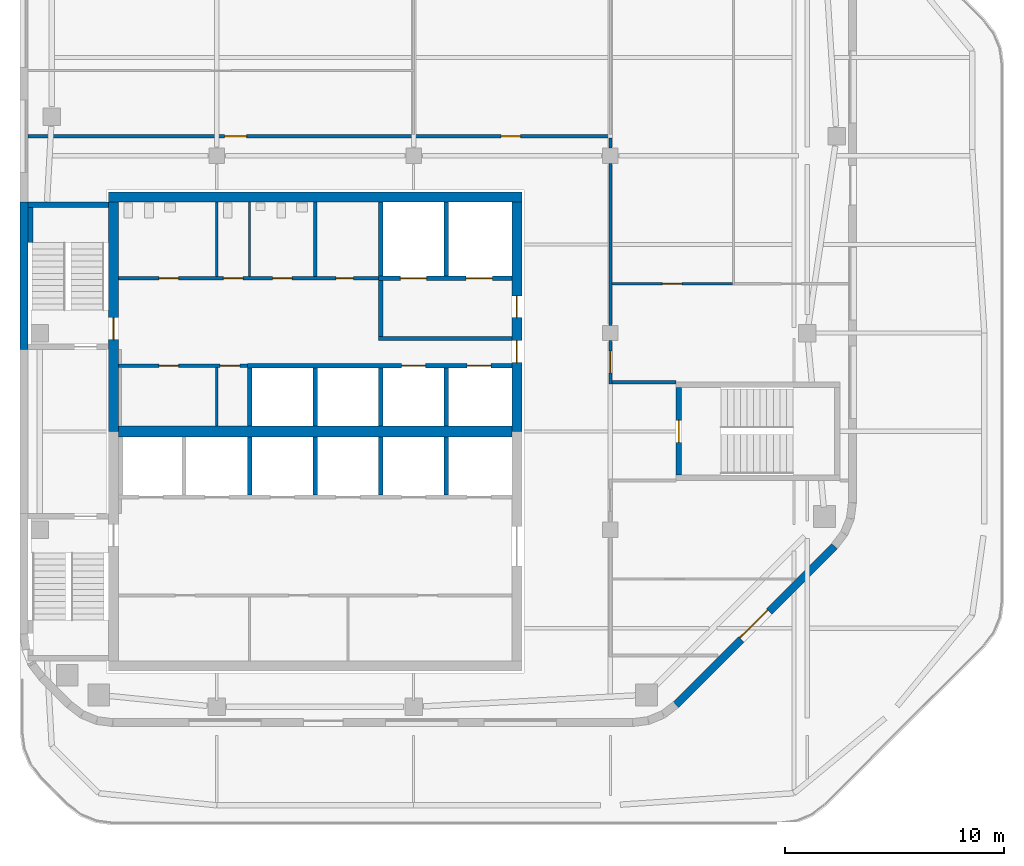
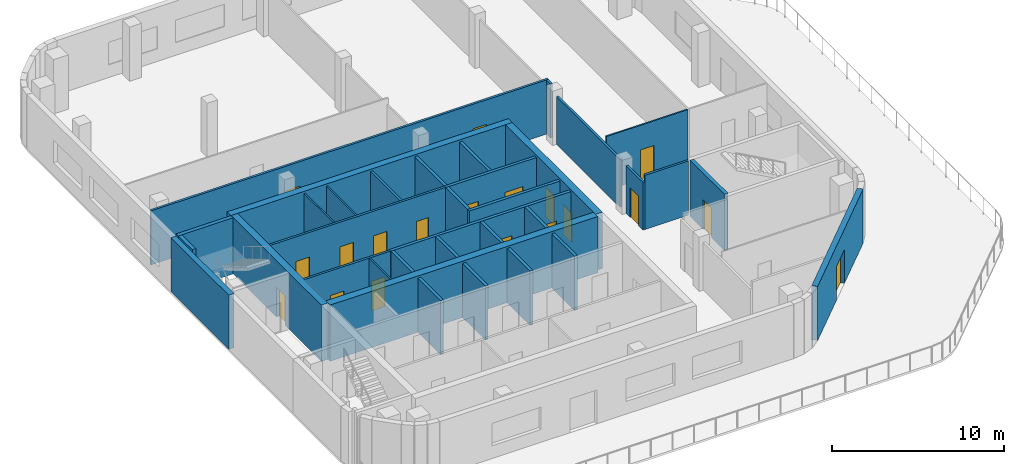
# One storey, part 4 of 7: 35 walls, 19 doors, 19 openings.
"""IFC4 building model written with IfcOpenShell, lengths in metres."""

from ifc_helpers import new_model, si_unit, direction, frame, frame_2d, origin, place, context, subcontext, project, spatial, rectangle, extrude, material, layer, layer_set, type_object, element, fill, save


model = new_model("IFC4")

# Units and contexts
model_context = context("Model", 3, precision=1e-05, world=origin(), true_north=direction((0.0, 1.0)))
body_context = subcontext(model_context, "Body", "Model", "MODEL_VIEW")
ifc_project = project(units=[si_unit("LENGTHUNIT", "METRE"), si_unit("AREAUNIT", "SQUARE_METRE"), si_unit("VOLUMEUNIT", "CUBIC_METRE"), si_unit("PLANEANGLEUNIT", "RADIAN"), si_unit("MASSUNIT", "GRAM", prefix="KILO")], contexts=[model_context])

# Site, building, storey
site_placement = place(None, origin())
site = spatial("IfcSite", under=ifc_project, at=site_placement, CompositionType="ELEMENT")
building_placement = place(site_placement, origin())
building = spatial("IfcBuilding", under=site, at=building_placement, Name="Cinnabar Reach Civic Tower", CompositionType="ELEMENT")
storey_placement = place(building_placement, frame((0.0, 0.0, 247.0)))
storey = spatial("IfcBuildingStorey", under=building, at=storey_placement, Name="L59", CompositionType="ELEMENT", Elevation=247.0)

# Wall, opening, door
ifc_material_1 = material(Name="Facing brick with insulated backing", Category="masonry")
ifc_layer_1 = layer(ifc_material_1, 0.36)
ifc_layer_set_1 = layer_set([ifc_layer_1], Name="Brick pier and spandrel wall")
wall_type_1 = type_object("IfcWallType", Name="Brick pier and spandrel wall", PredefinedType="STANDARD", material=ifc_layer_set_1)
wall_1_placement = place(storey_placement, frame((30.0014, 19.006, 0.0), z_axis=(0.0, 0.0, 1.0), x_axis=(0.707106781187, 0.707106781187, 0.0)))
wall_1 = element("IfcWall", 1, at=wall_1_placement, inside=storey, type_object=wall_type_1, Name="Brick facade wall", PredefinedType="STANDARD", context=body_context, shape_type="SweptSolid", body=[
    extrude(rectangle(XDim=10.2426, YDim=0.36, at=frame_2d((5.1213, 0.0))), origin(), (0.0, 0.0, 1.0), 3.85),
])
opening_1_placement = place(wall_1_placement, frame((4.2213, 0.0, 0.0)))
opening_1 = element("IfcOpeningElement", 2, at=opening_1_placement, cuts=wall_1, Name="Opening D7512", PredefinedType="OPENING", context=body_context, shape_type="SweptSolid", body=[
    extrude(rectangle(XDim=1.8, YDim=2.4, at=frame_2d((0.9, 1.2))), frame((0.0, 0.19, 0.0), z_axis=(0.0, -1.0, 0.0), x_axis=(1.0, 0.0, 0.0)), (0.0, 0.0, 1.0), 0.38),
])
ifc_material_2 = material(Name="Clear glazing in aluminium frame", Category="aluminium")
door_type_1 = type_object("IfcDoorType", Name="Facade terrace double door", OperationType="SINGLE_SWING_LEFT", PredefinedType="DOOR", material=ifc_material_2)
door_1_placement = place(opening_1_placement, frame((1.8, 0.0, 0.0), z_axis=(0.0, 0.0, 1.0), x_axis=(-1.0, 0.0, 0.0)))
door_1 = element("IfcDoor", 3, at=door_1_placement, inside=storey, type_object=door_type_1, Name="Terrace door", OperationType="DOUBLE_DOOR_SINGLE_SWING", OverallHeight=2.4, OverallWidth=1.8, PredefinedType="DOOR", context=body_context, shape_type="SweptSolid", body=[
    extrude(rectangle(XDim=1.8, YDim=2.4, at=frame_2d((0.9, 1.2))), frame((0.0, -0.07, 0.0), z_axis=(0.0, -1.0, 0.0), x_axis=(1.0, 0.0, 0.0)), (0.0, 0.0, 1.0), 0.05),
])
fill(opening_1, door_1)

# Walls
wall_2_placement = place(storey_placement, frame((0.18, 42.0, 0.0), z_axis=(0.0, 0.0, 1.0), x_axis=(0.0, -1.0, 0.0)))
element("IfcWall", 4, at=wall_2_placement, inside=storey, type_object=wall_type_1, Name="Brick facade wall", PredefinedType="STANDARD", context=body_context, shape_type="SweptSolid", body=[
    extrude(rectangle(XDim=6.75, YDim=0.36, at=frame_2d((3.375, 0.0))), origin(), (0.0, 0.0, 1.0), 3.85),
])
ifc_material_3 = material(Name="Concrete C60", Category="concrete")
ifc_layer_2 = layer(ifc_material_3, 0.45)
ifc_layer_set_2 = layer_set([ifc_layer_2], Name="Core wall 450 EI 180")
wall_type_2 = type_object("IfcWallType", Name="Core wall 450 EI 180", PredefinedType="SOLIDWALL", material=ifc_layer_set_2)
wall_3_placement = place(storey_placement, frame((22.95, 42.225, 0.0), z_axis=(0.0, 0.0, 1.0), x_axis=(-1.0, 0.0, 0.0)))
element("IfcWall", 5, at=wall_3_placement, inside=storey, type_object=wall_type_2, Name="Core wall T1 L59 N", PredefinedType="SOLIDWALL", context=body_context, shape_type="SweptSolid", body=[
    extrude(rectangle(XDim=18.9, YDim=0.45, at=frame_2d((9.45, 0.0))), origin(), (0.0, 0.0, 1.0), 4.0),
])

# Wall, openings, doors
wall_4_placement = place(storey_placement, frame((22.725, 31.5, 0.0), z_axis=(0.0, 0.0, 1.0), x_axis=(0.0, 1.0, 0.0)))
wall_4 = element("IfcWall", 6, at=wall_4_placement, inside=storey, type_object=wall_type_2, Name="Core wall T1 L59 E2", PredefinedType="SOLIDWALL", context=body_context, shape_type="SweptSolid", body=[
    extrude(rectangle(XDim=10.5, YDim=0.45, at=frame_2d((5.25, 0.0))), origin(), (0.0, 0.0, 1.0), 4.0),
])
opening_2_placement = place(wall_4_placement, frame((3.15, 0.0, 0.0)))
opening_2 = element("IfcOpeningElement", 7, at=opening_2_placement, cuts=wall_4, Name="Opening D5387", PredefinedType="OPENING", context=body_context, shape_type="SweptSolid", body=[
    extrude(rectangle(XDim=1.0, YDim=2.1, at=frame_2d((0.5, 1.05))), frame((0.0, 0.235, 0.0), z_axis=(0.0, -1.0, 0.0), x_axis=(1.0, 0.0, 0.0)), (0.0, 0.0, 1.0), 0.47),
])
opening_3_placement = place(wall_4_placement, frame((5.2, 0.0, 0.0)))
opening_3 = element("IfcOpeningElement", 8, at=opening_3_placement, cuts=wall_4, Name="Opening D5388", PredefinedType="OPENING", context=body_context, shape_type="SweptSolid", body=[
    extrude(rectangle(XDim=1.0, YDim=2.1, at=frame_2d((0.5, 1.05))), frame((0.0, 0.235, 0.0), z_axis=(0.0, -1.0, 0.0), x_axis=(1.0, 0.0, 0.0)), (0.0, 0.0, 1.0), 0.47),
])
ifc_material_4 = material(Name="Timber door leaf in steel frame", Category="steel")
door_type_2 = type_object("IfcDoorType", Name="Firefighting lobby door 1000 x 2100 T1", OperationType="SINGLE_SWING_LEFT", PredefinedType="DOOR", material=ifc_material_4)
door_2_placement = place(opening_3_placement, origin())
door_2 = element("IfcDoor", 9, at=door_2_placement, inside=storey, type_object=door_type_2, Name="Door D5388", OperationType="SINGLE_SWING_RIGHT", OverallHeight=2.1, OverallWidth=1.0, PredefinedType="DOOR", context=body_context, shape_type="SweptSolid", body=[
    extrude(rectangle(XDim=1.0, YDim=2.1, at=frame_2d((0.5, 1.05))), frame((0.0, 0.025, 0.0), z_axis=(0.0, -1.0, 0.0), x_axis=(1.0, 0.0, 0.0)), (0.0, 0.0, 1.0), 0.05),
])
fill(opening_3, door_2)
door_type_3 = type_object("IfcDoorType", Name="Single swing door 1000 x 2100 T1", OperationType="SINGLE_SWING_LEFT", PredefinedType="DOOR", material=ifc_material_4)
door_3_placement = place(opening_2_placement, origin())
door_3 = element("IfcDoor", 10, at=door_3_placement, inside=storey, type_object=door_type_3, Name="Door D5387", OperationType="SINGLE_SWING_RIGHT", OverallHeight=2.1, OverallWidth=1.0, PredefinedType="DOOR", context=body_context, shape_type="SweptSolid", body=[
    extrude(rectangle(XDim=1.0, YDim=2.1, at=frame_2d((0.5, 1.05))), frame((0.0, 0.025, 0.0), z_axis=(0.0, -1.0, 0.0), x_axis=(1.0, 0.0, 0.0)), (0.0, 0.0, 1.0), 0.05),
])
fill(opening_2, door_3)

# Wall, opening, door
wall_5_placement = place(storey_placement, frame((4.275, 42.0, 0.0), z_axis=(0.0, 0.0, 1.0), x_axis=(0.0, -1.0, 0.0)))
wall_5 = element("IfcWall", 11, at=wall_5_placement, inside=storey, type_object=wall_type_2, Name="Core wall T1 L59 W", PredefinedType="SOLIDWALL", context=body_context, shape_type="SweptSolid", body=[
    extrude(rectangle(XDim=10.5, YDim=0.45, at=frame_2d((5.25, 0.0))), origin(), (0.0, 0.0, 1.0), 4.0),
])
opening_4_placement = place(wall_5_placement, frame((5.3, 0.0, 0.0)))
opening_4 = element("IfcOpeningElement", 12, at=opening_4_placement, cuts=wall_5, Name="Opening D5374", PredefinedType="OPENING", context=body_context, shape_type="SweptSolid", body=[
    extrude(rectangle(XDim=1.0, YDim=2.1, at=frame_2d((0.5, 1.05))), frame((0.0, 0.235, 0.0), z_axis=(0.0, -1.0, 0.0), x_axis=(1.0, 0.0, 0.0)), (0.0, 0.0, 1.0), 0.47),
])
door_type_4 = type_object("IfcDoorType", Name="Stair door 1000 x 2100 T1", OperationType="SINGLE_SWING_LEFT", PredefinedType="DOOR", material=ifc_material_4)
door_4_placement = place(opening_4_placement, frame((1.0, 0.0, 0.0), z_axis=(0.0, 0.0, 1.0), x_axis=(-1.0, 0.0, 0.0)))
door_4 = element("IfcDoor", 13, at=door_4_placement, inside=storey, type_object=door_type_4, Name="Door D5374", OperationType="SINGLE_SWING_LEFT", OverallHeight=2.1, OverallWidth=1.0, PredefinedType="DOOR", context=body_context, shape_type="SweptSolid", body=[
    extrude(rectangle(XDim=1.0, YDim=2.1, at=frame_2d((0.5, 1.05))), frame((0.0, 0.025, 0.0), z_axis=(0.0, -1.0, 0.0), x_axis=(1.0, 0.0, 0.0)), (0.0, 0.0, 1.0), 0.05),
])
fill(opening_4, door_4)

# Wall
ifc_layer_3 = layer(ifc_material_3, 0.5)
ifc_layer_set_3 = layer_set([ifc_layer_3], Name="Core wall 500 EI 180")
wall_type_3 = type_object("IfcWallType", Name="Core wall 500 EI 180", PredefinedType="SOLIDWALL", material=ifc_layer_set_3)
wall_6_placement = place(storey_placement, frame((4.5, 31.5, 0.0), z_axis=(0.0, 0.0, 1.0), x_axis=(1.0, 0.0, 0.0)))
element("IfcWall", 14, at=wall_6_placement, inside=storey, type_object=wall_type_3, Name="Core spine wall T1 L59", PredefinedType="SOLIDWALL", context=body_context, shape_type="SweptSolid", body=[
    extrude(rectangle(XDim=18.0, YDim=0.5, at=frame_2d((9.0, 0.0))), origin(), (0.0, 0.0, 1.0), 4.0),
])

# Wall, openings, doors
ifc_material_5 = material(Name="Gypsum board on steel studs, double layer", Category="steel")
ifc_layer_4 = layer(ifc_material_5, 0.15)
ifc_layer_set_4 = layer_set([ifc_layer_4], Name="Corridor wall 150 T1")
wall_type_4 = type_object("IfcWallType", Name="Corridor wall 150 T1", PredefinedType="PARTITIONING", material=ifc_layer_set_4)
wall_7_placement = place(storey_placement, frame((0.36, 45.0, 0.0), z_axis=(0.0, 0.0, 1.0), x_axis=(1.0, 0.0, 0.0)))
wall_7 = element("IfcWall", 15, at=wall_7_placement, inside=storey, type_object=wall_type_4, Name="Corridor wall 18", PredefinedType="PARTITIONING", context=body_context, shape_type="SweptSolid", body=[
    extrude(rectangle(XDim=26.715, YDim=0.15, at=frame_2d((13.3575, 0.0))), origin(), (0.0, 0.0, 1.0), 3.85),
])
opening_5_placement = place(wall_7_placement, frame((9.0, 0.0, 0.0)))
opening_5 = element("IfcOpeningElement", 16, at=opening_5_placement, cuts=wall_7, Name="Opening D5404", PredefinedType="OPENING", context=body_context, shape_type="SweptSolid", body=[
    extrude(rectangle(XDim=1.0, YDim=2.1, at=frame_2d((0.5, 1.05))), frame((0.0, 0.085, 0.0), z_axis=(0.0, -1.0, 0.0), x_axis=(1.0, 0.0, 0.0)), (0.0, 0.0, 1.0), 0.17),
])
opening_6_placement = place(wall_7_placement, frame((21.64, 0.0, 0.0)))
opening_6 = element("IfcOpeningElement", 17, at=opening_6_placement, cuts=wall_7, Name="Opening D5406", PredefinedType="OPENING", context=body_context, shape_type="SweptSolid", body=[
    extrude(rectangle(XDim=0.9, YDim=2.1, at=frame_2d((0.45, 1.05))), frame((0.0, 0.085, 0.0), z_axis=(0.0, -1.0, 0.0), x_axis=(1.0, 0.0, 0.0)), (0.0, 0.0, 1.0), 0.17),
])
door_type_5 = type_object("IfcDoorType", Name="Single swing door 900 x 2100 corridor T1", OperationType="SINGLE_SWING_LEFT", PredefinedType="DOOR", material=ifc_material_4)
door_5_placement = place(opening_6_placement, origin())
door_5 = element("IfcDoor", 18, at=door_5_placement, inside=storey, type_object=door_type_5, Name="Door D5406", OperationType="SINGLE_SWING_LEFT", OverallHeight=2.1, OverallWidth=0.9, PredefinedType="DOOR", context=body_context, shape_type="SweptSolid", body=[
    extrude(rectangle(XDim=0.9, YDim=2.1, at=frame_2d((0.45, 1.05))), frame((0.0, 0.025, 0.0), z_axis=(0.0, -1.0, 0.0), x_axis=(1.0, 0.0, 0.0)), (0.0, 0.0, 1.0), 0.05),
])
fill(opening_6, door_5)
door_type_6 = type_object("IfcDoorType", Name="Tenancy entrance door 1000 x 2100 T1", OperationType="SINGLE_SWING_LEFT", PredefinedType="DOOR", material=ifc_material_4)
door_6_placement = place(opening_5_placement, origin())
door_6 = element("IfcDoor", 19, at=door_6_placement, inside=storey, type_object=door_type_6, Name="Door D5404", OperationType="SINGLE_SWING_RIGHT", OverallHeight=2.1, OverallWidth=1.0, PredefinedType="DOOR", context=body_context, shape_type="SweptSolid", body=[
    extrude(rectangle(XDim=1.0, YDim=2.1, at=frame_2d((0.5, 1.05))), frame((0.0, 0.025, 0.0), z_axis=(0.0, -1.0, 0.0), x_axis=(1.0, 0.0, 0.0)), (0.0, 0.0, 1.0), 0.05),
])
fill(opening_5, door_6)

wall_8_placement = place(storey_placement, frame((4.5, 38.5, 0.0), z_axis=(0.0, 0.0, 1.0), x_axis=(1.0, 0.0, 0.0)))
wall_8 = element("IfcWall", 20, at=wall_8_placement, inside=storey, type_object=wall_type_4, Name="Corridor wall 20", PredefinedType="PARTITIONING", context=body_context, shape_type="SweptSolid", body=[
    extrude(rectangle(XDim=11.9, YDim=0.15, at=frame_2d((5.95, 0.0))), origin(), (0.0, 0.0, 1.0), 3.85),
])
opening_7_placement = place(wall_8_placement, frame((1.85, 0.0, 0.0)))
opening_7 = element("IfcOpeningElement", 21, at=opening_7_placement, cuts=wall_8, Name="Opening D5395", PredefinedType="OPENING", context=body_context, shape_type="SweptSolid", body=[
    extrude(rectangle(XDim=0.9, YDim=2.1, at=frame_2d((0.45, 1.05))), frame((0.0, 0.085, 0.0), z_axis=(0.0, -1.0, 0.0), x_axis=(1.0, 0.0, 0.0)), (0.0, 0.0, 1.0), 0.17),
])
opening_8_placement = place(wall_8_placement, frame((4.8, 0.0, 0.0)))
opening_8 = element("IfcOpeningElement", 22, at=opening_8_placement, cuts=wall_8, Name="Opening D5396", PredefinedType="OPENING", context=body_context, shape_type="SweptSolid", body=[
    extrude(rectangle(XDim=0.9, YDim=2.1, at=frame_2d((0.45, 1.05))), frame((0.0, 0.085, 0.0), z_axis=(0.0, -1.0, 0.0), x_axis=(1.0, 0.0, 0.0)), (0.0, 0.0, 1.0), 0.17),
])
opening_9_placement = place(wall_8_placement, frame((7.05, 0.0, 0.0)))
opening_9 = element("IfcOpeningElement", 23, at=opening_9_placement, cuts=wall_8, Name="Opening D5397", PredefinedType="OPENING", context=body_context, shape_type="SweptSolid", body=[
    extrude(rectangle(XDim=0.9, YDim=2.1, at=frame_2d((0.45, 1.05))), frame((0.0, 0.085, 0.0), z_axis=(0.0, -1.0, 0.0), x_axis=(1.0, 0.0, 0.0)), (0.0, 0.0, 1.0), 0.17),
])
opening_10_placement = place(wall_8_placement, frame((9.95, 0.0, 0.0)))
opening_10 = element("IfcOpeningElement", 24, at=opening_10_placement, cuts=wall_8, Name="Opening D5398", PredefinedType="OPENING", context=body_context, shape_type="SweptSolid", body=[
    extrude(rectangle(XDim=0.8, YDim=2.1, at=frame_2d((0.4, 1.05))), frame((0.0, 0.085, 0.0), z_axis=(0.0, -1.0, 0.0), x_axis=(1.0, 0.0, 0.0)), (0.0, 0.0, 1.0), 0.17),
])
door_type_7 = type_object("IfcDoorType", Name="Riser access door 800 x 2100 T1", OperationType="SINGLE_SWING_LEFT", PredefinedType="DOOR", material=ifc_material_4)
door_7_placement = place(opening_10_placement, origin())
door_7 = element("IfcDoor", 25, at=door_7_placement, inside=storey, type_object=door_type_7, Name="Door D5398", OperationType="SINGLE_SWING_LEFT", OverallHeight=2.1, OverallWidth=0.8, PredefinedType="DOOR", context=body_context, shape_type="SweptSolid", body=[
    extrude(rectangle(XDim=0.8, YDim=2.1, at=frame_2d((0.4, 1.05))), frame((0.0, 0.025, 0.0), z_axis=(0.0, -1.0, 0.0), x_axis=(1.0, 0.0, 0.0)), (0.0, 0.0, 1.0), 0.05),
])
fill(opening_10, door_7)
door_8_placement = place(opening_7_placement, origin())
door_8 = element("IfcDoor", 26, at=door_8_placement, inside=storey, type_object=door_type_5, Name="Door D5395", OperationType="SINGLE_SWING_LEFT", OverallHeight=2.1, OverallWidth=0.9, PredefinedType="DOOR", context=body_context, shape_type="SweptSolid", body=[
    extrude(rectangle(XDim=0.9, YDim=2.1, at=frame_2d((0.45, 1.05))), frame((0.0, 0.025, 0.0), z_axis=(0.0, -1.0, 0.0), x_axis=(1.0, 0.0, 0.0)), (0.0, 0.0, 1.0), 0.05),
])
fill(opening_7, door_8)
door_9_placement = place(opening_8_placement, origin())
door_9 = element("IfcDoor", 27, at=door_9_placement, inside=storey, type_object=door_type_5, Name="Door D5396", OperationType="SINGLE_SWING_RIGHT", OverallHeight=2.1, OverallWidth=0.9, PredefinedType="DOOR", context=body_context, shape_type="SweptSolid", body=[
    extrude(rectangle(XDim=0.9, YDim=2.1, at=frame_2d((0.45, 1.05))), frame((0.0, 0.025, 0.0), z_axis=(0.0, -1.0, 0.0), x_axis=(1.0, 0.0, 0.0)), (0.0, 0.0, 1.0), 0.05),
])
fill(opening_8, door_9)
door_10_placement = place(opening_9_placement, origin())
door_10 = element("IfcDoor", 28, at=door_10_placement, inside=storey, type_object=door_type_5, Name="Door D5397", OperationType="SINGLE_SWING_RIGHT", OverallHeight=2.1, OverallWidth=0.9, PredefinedType="DOOR", context=body_context, shape_type="SweptSolid", body=[
    extrude(rectangle(XDim=0.9, YDim=2.1, at=frame_2d((0.45, 1.05))), frame((0.0, 0.025, 0.0), z_axis=(0.0, -1.0, 0.0), x_axis=(1.0, 0.0, 0.0)), (0.0, 0.0, 1.0), 0.05),
])
fill(opening_9, door_10)

# Wall, opening, door
wall_9_placement = place(storey_placement, frame((27.0, 33.675, 0.0), z_axis=(0.0, 0.0, 1.0), x_axis=(0.0, 1.0, 0.0)))
wall_9 = element("IfcWall", 29, at=wall_9_placement, inside=storey, type_object=wall_type_4, Name="Corridor wall 21", PredefinedType="PARTITIONING", context=body_context, shape_type="SweptSolid", body=[
    extrude(rectangle(XDim=1.975, YDim=0.15, at=frame_2d((0.9875, 0.0))), origin(), (0.0, 0.0, 1.0), 3.4),
])
opening_11_placement = place(wall_9_placement, frame((0.5, 0.0, 0.0)))
opening_11 = element("IfcOpeningElement", 30, at=opening_11_placement, cuts=wall_9, Name="Opening D5399", PredefinedType="OPENING", context=body_context, shape_type="SweptSolid", body=[
    extrude(rectangle(XDim=1.0, YDim=2.1, at=frame_2d((0.5, 1.05))), frame((0.0, 0.085, 0.0), z_axis=(0.0, -1.0, 0.0), x_axis=(1.0, 0.0, 0.0)), (0.0, 0.0, 1.0), 0.17),
])
door_11_placement = place(opening_11_placement, frame((1.0, 0.0, 0.0), z_axis=(0.0, 0.0, 1.0), x_axis=(-1.0, 0.0, 0.0)))
door_11 = element("IfcDoor", 31, at=door_11_placement, inside=storey, type_object=door_type_6, Name="Door D5399", OperationType="SINGLE_SWING_RIGHT", OverallHeight=2.1, OverallWidth=1.0, PredefinedType="DOOR", context=body_context, shape_type="SweptSolid", body=[
    extrude(rectangle(XDim=1.0, YDim=2.1, at=frame_2d((0.5, 1.05))), frame((0.0, 0.025, 0.0), z_axis=(0.0, -1.0, 0.0), x_axis=(1.0, 0.0, 0.0)), (0.0, 0.0, 1.0), 0.05),
])
fill(opening_11, door_11)

# Walls
wall_10_placement = place(storey_placement, frame((27.0, 36.35, 0.0), z_axis=(0.0, 0.0, 1.0), x_axis=(0.0, 1.0, 0.0)))
element("IfcWall", 32, at=wall_10_placement, inside=storey, type_object=wall_type_4, Name="Corridor wall 22", PredefinedType="PARTITIONING", context=body_context, shape_type="SweptSolid", body=[
    extrude(rectangle(XDim=7.4, YDim=0.15, at=frame_2d((3.7, 0.0))), origin(), (0.0, 0.0, 1.0), 3.4),
])
wall_11_placement = place(storey_placement, frame((27.0, 44.45, 0.0), z_axis=(0.0, 0.0, 1.0), x_axis=(0.0, 1.0, 0.0)))
element("IfcWall", 33, at=wall_11_placement, inside=storey, type_object=wall_type_4, Name="Corridor wall 23", PredefinedType="PARTITIONING", context=body_context, shape_type="SweptSolid", body=[
    extrude(rectangle(XDim=0.475, YDim=0.15, at=frame_2d((0.2375, 0.0))), origin(), (0.0, 0.0, 1.0), 3.85),
])

# Wall, openings, doors
wall_12_placement = place(storey_placement, frame((4.5, 34.5, 0.0), z_axis=(0.0, 0.0, 1.0), x_axis=(1.0, 0.0, 0.0)))
wall_12 = element("IfcWall", 34, at=wall_12_placement, inside=storey, type_object=wall_type_4, Name="Corridor wall 26", PredefinedType="PARTITIONING", context=body_context, shape_type="SweptSolid", body=[
    extrude(rectangle(XDim=5.9, YDim=0.15, at=frame_2d((2.95, 0.0))), origin(), (0.0, 0.0, 1.0), 3.85),
])
opening_12_placement = place(wall_12_placement, frame((1.85, 0.0, 0.0)))
opening_12 = element("IfcOpeningElement", 35, at=opening_12_placement, cuts=wall_12, Name="Opening D5393", PredefinedType="OPENING", context=body_context, shape_type="SweptSolid", body=[
    extrude(rectangle(XDim=0.9, YDim=2.1, at=frame_2d((0.45, 1.05))), frame((0.0, 0.085, 0.0), z_axis=(0.0, -1.0, 0.0), x_axis=(1.0, 0.0, 0.0)), (0.0, 0.0, 1.0), 0.17),
])
opening_13_placement = place(wall_12_placement, frame((4.65, 0.0, 0.0)))
opening_13 = element("IfcOpeningElement", 36, at=opening_13_placement, cuts=wall_12, Name="Opening D5394", PredefinedType="OPENING", context=body_context, shape_type="SweptSolid", body=[
    extrude(rectangle(XDim=0.9, YDim=2.1, at=frame_2d((0.45, 1.05))), frame((0.0, 0.085, 0.0), z_axis=(0.0, -1.0, 0.0), x_axis=(1.0, 0.0, 0.0)), (0.0, 0.0, 1.0), 0.17),
])
door_12_placement = place(opening_12_placement, frame((0.9, 0.0, 0.0), z_axis=(0.0, 0.0, 1.0), x_axis=(-1.0, 0.0, 0.0)))
door_12 = element("IfcDoor", 37, at=door_12_placement, inside=storey, type_object=door_type_5, Name="Door D5393", OperationType="SINGLE_SWING_RIGHT", OverallHeight=2.1, OverallWidth=0.9, PredefinedType="DOOR", context=body_context, shape_type="SweptSolid", body=[
    extrude(rectangle(XDim=0.9, YDim=2.1, at=frame_2d((0.45, 1.05))), frame((0.0, 0.025, 0.0), z_axis=(0.0, -1.0, 0.0), x_axis=(1.0, 0.0, 0.0)), (0.0, 0.0, 1.0), 0.05),
])
fill(opening_12, door_12)
door_13_placement = place(opening_13_placement, frame((0.9, 0.0, 0.0), z_axis=(0.0, 0.0, 1.0), x_axis=(-1.0, 0.0, 0.0)))
door_13 = element("IfcDoor", 38, at=door_13_placement, inside=storey, type_object=door_type_5, Name="Door D5394", OperationType="SINGLE_SWING_RIGHT", OverallHeight=2.1, OverallWidth=0.9, PredefinedType="DOOR", context=body_context, shape_type="SweptSolid", body=[
    extrude(rectangle(XDim=0.9, YDim=2.1, at=frame_2d((0.45, 1.05))), frame((0.0, 0.025, 0.0), z_axis=(0.0, -1.0, 0.0), x_axis=(1.0, 0.0, 0.0)), (0.0, 0.0, 1.0), 0.05),
])
fill(opening_13, door_13)

# Wall
wall_13_placement = place(storey_placement, frame((27.075, 33.75, 0.0), z_axis=(0.0, 0.0, 1.0), x_axis=(1.0, 0.0, 0.0)))
element("IfcWall", 39, at=wall_13_placement, inside=storey, type_object=wall_type_4, Name="Corridor wall 31", PredefinedType="PARTITIONING", context=body_context, shape_type="SweptSolid", body=[
    extrude(rectangle(XDim=2.925, YDim=0.15, at=frame_2d((1.4625, 0.0))), origin(), (0.0, 0.0, 1.0), 3.85),
])

# Wall, openings, doors
ifc_material_6 = material(Name="Blockwork", Category="masonry")
ifc_layer_5 = layer(ifc_material_6, 0.2)
ifc_layer_set_5 = layer_set([ifc_layer_5], Name="Lift shaft wall 200 T1")
wall_type_5 = type_object("IfcWallType", Name="Lift shaft wall 200 T1", PredefinedType="PARTITIONING", material=ifc_layer_set_5)
wall_14_placement = place(storey_placement, frame((10.4, 34.5, 0.0), z_axis=(0.0, 0.0, 1.0), x_axis=(1.0, 0.0, 0.0)))
wall_14 = element("IfcWall", 40, at=wall_14_placement, inside=storey, type_object=wall_type_5, Name="Lift shaft wall 5", PredefinedType="PARTITIONING", context=body_context, shape_type="SweptSolid", body=[
    extrude(rectangle(XDim=12.1, YDim=0.2, at=frame_2d((6.05, 0.0))), origin(), (0.0, 0.0, 1.0), 3.85),
])
opening_14_placement = place(wall_14_placement, frame((7.05, 0.0, 0.0)))
opening_14 = element("IfcOpeningElement", 41, at=opening_14_placement, cuts=wall_14, Name="Opening D5382", PredefinedType="OPENING", context=body_context, shape_type="SweptSolid", body=[
    extrude(rectangle(XDim=1.1, YDim=2.1, at=frame_2d((0.55, 1.05))), frame((0.0, 0.11, 0.0), z_axis=(0.0, -1.0, 0.0), x_axis=(1.0, 0.0, 0.0)), (0.0, 0.0, 1.0), 0.22),
])
opening_15_placement = place(wall_14_placement, frame((10.05, 0.0, 0.0)))
opening_15 = element("IfcOpeningElement", 42, at=opening_15_placement, cuts=wall_14, Name="Opening D5383", PredefinedType="OPENING", context=body_context, shape_type="SweptSolid", body=[
    extrude(rectangle(XDim=1.1, YDim=2.1, at=frame_2d((0.55, 1.05))), frame((0.0, 0.11, 0.0), z_axis=(0.0, -1.0, 0.0), x_axis=(1.0, 0.0, 0.0)), (0.0, 0.0, 1.0), 0.22),
])
ifc_material_7 = material(Name="Stainless steel sliding door", Category="steel")
door_type_8 = type_object("IfcDoorType", Name="Lift landing door 1100 x 2100 T1", OperationType="SLIDING_TO_LEFT", PredefinedType="DOOR", material=ifc_material_7)
door_14_placement = place(opening_14_placement, origin())
door_14 = element("IfcDoor", 43, at=door_14_placement, inside=storey, type_object=door_type_8, Name="Lift landing door SV1 L59", OperationType="SLIDING_TO_LEFT", OverallHeight=2.1, OverallWidth=1.1, PredefinedType="DOOR", context=body_context, shape_type="SweptSolid", body=[
    extrude(rectangle(XDim=1.1, YDim=2.1, at=frame_2d((0.55, 1.05))), frame((0.0, 0.025, 0.0), z_axis=(0.0, -1.0, 0.0), x_axis=(1.0, 0.0, 0.0)), (0.0, 0.0, 1.0), 0.05),
])
fill(opening_14, door_14)
door_15_placement = place(opening_15_placement, origin())
door_15 = element("IfcDoor", 44, at=door_15_placement, inside=storey, type_object=door_type_8, Name="Lift landing door SV2 L59", OperationType="SLIDING_TO_LEFT", OverallHeight=2.1, OverallWidth=1.1, PredefinedType="DOOR", context=body_context, shape_type="SweptSolid", body=[
    extrude(rectangle(XDim=1.1, YDim=2.1, at=frame_2d((0.55, 1.05))), frame((0.0, 0.025, 0.0), z_axis=(0.0, -1.0, 0.0), x_axis=(1.0, 0.0, 0.0)), (0.0, 0.0, 1.0), 0.05),
])
fill(opening_15, door_15)

# Walls
for number, where, z_axis, x_axis, name in (
    (45, (10.5, 28.6, 0.0), (0.0, 0.0, 1.0), (0.0, 1.0, 0.0), "Lift shaft wall 6"),
    (46, (10.5, 31.75, 0.0), (0.0, 0.0, 1.0), (0.0, 1.0, 0.0), "Lift shaft wall 7"),
    (47, (13.5, 28.6, 0.0), (0.0, 0.0, 1.0), (0.0, 1.0, 0.0), "Lift shaft wall 8"),
    (48, (13.5, 31.75, 0.0), (0.0, 0.0, 1.0), (0.0, 1.0, 0.0), "Lift shaft wall 9"),
    (49, (16.5, 28.6, 0.0), (0.0, 0.0, 1.0), (0.0, 1.0, 0.0), "Lift shaft wall 10"),
    (50, (16.5, 31.75, 0.0), (0.0, 0.0, 1.0), (0.0, 1.0, 0.0), "Lift shaft wall 11"),
    (51, (19.5, 28.6, 0.0), (0.0, 0.0, 1.0), (0.0, 1.0, 0.0), "Lift shaft wall 12"),
    (52, (19.5, 31.75, 0.0), (0.0, 0.0, 1.0), (0.0, 1.0, 0.0), "Lift shaft wall 13"),
):
    element("IfcWall", number, at=place(storey_placement, frame(where, z_axis=z_axis, x_axis=x_axis)), inside=storey, type_object=wall_type_5, Name=name, PredefinedType="PARTITIONING", context=body_context, shape_type="SweptSolid", body=[
        extrude(rectangle(XDim=2.65, YDim=0.2, at=frame_2d((1.325, 0.0))), origin(), (0.0, 0.0, 1.0), 3.85),
    ])
for number, where, z_axis, x_axis, name in (
    (53, (16.5, 38.6, 0.0), (0.0, 0.0, 1.0), (0.0, 1.0, 0.0), "Lift shaft wall 14"),
    (54, (19.5, 38.6, 0.0), (0.0, 0.0, 1.0), (0.0, 1.0, 0.0), "Lift shaft wall 15"),
):
    element("IfcWall", number, at=place(storey_placement, frame(where, z_axis=z_axis, x_axis=x_axis)), inside=storey, type_object=wall_type_5, Name=name, PredefinedType="PARTITIONING", context=body_context, shape_type="SweptSolid", body=[
        extrude(rectangle(XDim=3.4, YDim=0.2, at=frame_2d((1.7, 0.0))), origin(), (0.0, 0.0, 1.0), 3.85),
    ])

# Wall, opening, door
ifc_material_8 = material(Name="Gypsum board on steel studs", Category="steel")
ifc_layer_6 = layer(ifc_material_8, 0.1)
ifc_layer_set_6 = layer_set([ifc_layer_6], Name="Partition wall 100 T1")
wall_type_6 = type_object("IfcWallType", Name="Partition wall 100 T1", PredefinedType="PARTITIONING", material=ifc_layer_set_6)
wall_15_placement = place(storey_placement, frame((27.075, 38.25, 0.0), z_axis=(0.0, 0.0, 1.0), x_axis=(1.0, 0.0, 0.0)))
wall_15 = element("IfcWall", 55, at=wall_15_placement, inside=storey, type_object=wall_type_6, Name="Partition wall 42", PredefinedType="PARTITIONING", context=body_context, shape_type="SweptSolid", body=[
    extrude(rectangle(XDim=5.5, YDim=0.1, at=frame_2d((2.75, 0.0))), origin(), (0.0, 0.0, 1.0), 3.85),
])
opening_16_placement = place(wall_15_placement, frame((2.3, 0.0, 0.0)))
opening_16 = element("IfcOpeningElement", 56, at=opening_16_placement, cuts=wall_15, Name="Opening D5400", PredefinedType="OPENING", context=body_context, shape_type="SweptSolid", body=[
    extrude(rectangle(XDim=0.9, YDim=2.1, at=frame_2d((0.45, 1.05))), frame((0.0, 0.06, 0.0), z_axis=(0.0, -1.0, 0.0), x_axis=(1.0, 0.0, 0.0)), (0.0, 0.0, 1.0), 0.12),
])
door_type_9 = type_object("IfcDoorType", Name="Single swing door 900 x 2100 T1", OperationType="SINGLE_SWING_LEFT", PredefinedType="DOOR", material=ifc_material_4)
door_16_placement = place(opening_16_placement, frame((0.9, 0.0, 0.0), z_axis=(0.0, 0.0, 1.0), x_axis=(-1.0, 0.0, 0.0)))
door_16 = element("IfcDoor", 57, at=door_16_placement, inside=storey, type_object=door_type_9, Name="Door D5400", OperationType="SINGLE_SWING_LEFT", OverallHeight=2.1, OverallWidth=0.9, PredefinedType="DOOR", context=body_context, shape_type="SweptSolid", body=[
    extrude(rectangle(XDim=0.9, YDim=2.1, at=frame_2d((0.45, 1.05))), frame((0.0, 0.025, 0.0), z_axis=(0.0, -1.0, 0.0), x_axis=(1.0, 0.0, 0.0)), (0.0, 0.0, 1.0), 0.05),
])
fill(opening_16, door_16)

# Walls
for number, where, z_axis, x_axis, name in (
    (58, (9.0, 38.575, 0.0), (0.0, 0.0, 1.0), (0.0, 1.0, 0.0), "Partition wall 45"),
    (59, (10.5, 38.575, 0.0), (0.0, 0.0, 1.0), (0.0, 1.0, 0.0), "Partition wall 46"),
):
    element("IfcWall", number, at=place(storey_placement, frame(where, z_axis=z_axis, x_axis=x_axis)), inside=storey, type_object=wall_type_6, Name=name, PredefinedType="PARTITIONING", context=body_context, shape_type="SweptSolid", body=[
        extrude(rectangle(XDim=3.425, YDim=0.1, at=frame_2d((1.7125, 0.0))), origin(), (0.0, 0.0, 1.0), 3.85),
    ])
wall_16_placement = place(storey_placement, frame((9.0, 31.75, 0.0), z_axis=(0.0, 0.0, 1.0), x_axis=(0.0, 1.0, 0.0)))
element("IfcWall", 60, at=wall_16_placement, inside=storey, type_object=wall_type_6, Name="Partition wall 47", PredefinedType="PARTITIONING", context=body_context, shape_type="SweptSolid", body=[
    extrude(rectangle(XDim=2.675, YDim=0.1, at=frame_2d((1.3375, 0.0))), origin(), (0.0, 0.0, 1.0), 3.85),
])
ifc_material_9 = material(Name="Concrete C40", Category="concrete")
ifc_layer_7 = layer(ifc_material_9, 0.2)
ifc_layer_set_7 = layer_set([ifc_layer_7], Name="Refuge compartment wall 200 T1")
wall_type_7 = type_object("IfcWallType", Name="Refuge compartment wall 200 T1", PredefinedType="PARTITIONING", material=ifc_layer_set_7)
wall_17_placement = place(storey_placement, frame((16.4, 35.75, 0.0), z_axis=(0.0, 0.0, 1.0), x_axis=(1.0, 0.0, 0.0)))
element("IfcWall", 61, at=wall_17_placement, inside=storey, type_object=wall_type_7, Name="Refuge compartment wall 1", PredefinedType="PARTITIONING", context=body_context, shape_type="SweptSolid", body=[
    extrude(rectangle(XDim=6.1, YDim=0.2, at=frame_2d((3.05, 0.0))), origin(), (0.0, 0.0, 1.0), 3.85),
])

# Wall, openings, doors
wall_18_placement = place(storey_placement, frame((16.4, 38.5, 0.0), z_axis=(0.0, 0.0, 1.0), x_axis=(1.0, 0.0, 0.0)))
wall_18 = element("IfcWall", 62, at=wall_18_placement, inside=storey, type_object=wall_type_7, Name="Refuge compartment wall 2", PredefinedType="PARTITIONING", context=body_context, shape_type="SweptSolid", body=[
    extrude(rectangle(XDim=6.1, YDim=0.2, at=frame_2d((3.05, 0.0))), origin(), (0.0, 0.0, 1.0), 3.85),
])
opening_17_placement = place(wall_18_placement, frame((1.0, 0.0, 0.0)))
opening_17 = element("IfcOpeningElement", 63, at=opening_17_placement, cuts=wall_18, Name="Opening D5384", PredefinedType="OPENING", context=body_context, shape_type="SweptSolid", body=[
    extrude(rectangle(XDim=1.2, YDim=2.1, at=frame_2d((0.6, 1.05))), frame((0.0, 0.11, 0.0), z_axis=(0.0, -1.0, 0.0), x_axis=(1.0, 0.0, 0.0)), (0.0, 0.0, 1.0), 0.22),
])
opening_18_placement = place(wall_18_placement, frame((4.0, 0.0, 0.0)))
opening_18 = element("IfcOpeningElement", 64, at=opening_18_placement, cuts=wall_18, Name="Opening D5385", PredefinedType="OPENING", context=body_context, shape_type="SweptSolid", body=[
    extrude(rectangle(XDim=1.2, YDim=2.1, at=frame_2d((0.6, 1.05))), frame((0.0, 0.11, 0.0), z_axis=(0.0, -1.0, 0.0), x_axis=(1.0, 0.0, 0.0)), (0.0, 0.0, 1.0), 0.22),
])
door_type_10 = type_object("IfcDoorType", Name="Firefighting lift landing door 1200 x 2100 T1", OperationType="SLIDING_TO_LEFT", PredefinedType="DOOR", material=ifc_material_7)
door_17_placement = place(opening_17_placement, origin())
door_17 = element("IfcDoor", 65, at=door_17_placement, inside=storey, type_object=door_type_10, Name="Lift landing door FF1 L59", OperationType="SLIDING_TO_LEFT", OverallHeight=2.1, OverallWidth=1.2, PredefinedType="DOOR", context=body_context, shape_type="SweptSolid", body=[
    extrude(rectangle(XDim=1.2, YDim=2.1, at=frame_2d((0.6, 1.05))), frame((0.0, 0.025, 0.0), z_axis=(0.0, -1.0, 0.0), x_axis=(1.0, 0.0, 0.0)), (0.0, 0.0, 1.0), 0.05),
])
fill(opening_17, door_17)
door_18_placement = place(opening_18_placement, origin())
door_18 = element("IfcDoor", 66, at=door_18_placement, inside=storey, type_object=door_type_10, Name="Lift landing door FF2 L59", OperationType="SLIDING_TO_LEFT", OverallHeight=2.1, OverallWidth=1.2, PredefinedType="DOOR", context=body_context, shape_type="SweptSolid", body=[
    extrude(rectangle(XDim=1.2, YDim=2.1, at=frame_2d((0.6, 1.05))), frame((0.0, 0.025, 0.0), z_axis=(0.0, -1.0, 0.0), x_axis=(1.0, 0.0, 0.0)), (0.0, 0.0, 1.0), 0.05),
])
fill(opening_18, door_18)

# Walls
wall_19_placement = place(storey_placement, frame((16.5, 35.85, 0.0), z_axis=(0.0, 0.0, 1.0), x_axis=(0.0, 1.0, 0.0)))
element("IfcWall", 67, at=wall_19_placement, inside=storey, type_object=wall_type_7, Name="Refuge compartment wall 3", PredefinedType="PARTITIONING", context=body_context, shape_type="SweptSolid", body=[
    extrude(rectangle(XDim=2.55, YDim=0.2, at=frame_2d((1.275, 0.0))), origin(), (0.0, 0.0, 1.0), 3.85),
])
ifc_layer_8 = layer(ifc_material_6, 0.15)
ifc_layer_set_8 = layer_set([ifc_layer_8], Name="Riser wall 150 T1")
wall_type_8 = type_object("IfcWallType", Name="Riser wall 150 T1", PredefinedType="PARTITIONING", material=ifc_layer_set_8)
wall_20_placement = place(storey_placement, frame((13.5, 38.575, 0.0), z_axis=(0.0, 0.0, 1.0), x_axis=(0.0, 1.0, 0.0)))
element("IfcWall", 68, at=wall_20_placement, inside=storey, type_object=wall_type_8, Name="Riser wall 33", PredefinedType="PARTITIONING", context=body_context, shape_type="SweptSolid", body=[
    extrude(rectangle(XDim=3.425, YDim=0.15, at=frame_2d((1.7125, 0.0))), origin(), (0.0, 0.0, 1.0), 3.85),
])
ifc_layer_9 = layer(ifc_material_3, 0.25)
ifc_layer_set_9 = layer_set([ifc_layer_9], Name="Stair shaft wall 250 EI 120")
wall_type_9 = type_object("IfcWallType", Name="Stair shaft wall 250 EI 120", PredefinedType="SOLIDWALL", material=ifc_layer_set_9)
wall_21_placement = place(storey_placement, frame((4.05, 41.875, 0.0), z_axis=(0.0, 0.0, 1.0), x_axis=(-1.0, 0.0, 0.0)))
element("IfcWall", 69, at=wall_21_placement, inside=storey, type_object=wall_type_9, Name="Stair shaft wall T1-S2 L59", PredefinedType="SOLIDWALL", context=body_context, shape_type="SweptSolid", body=[
    extrude(rectangle(XDim=3.69, YDim=0.25, at=frame_2d((1.845, 0.0))), origin(), (0.0, 0.0, 1.0), 4.0),
])

# Wall, opening, door
wall_22_placement = place(storey_placement, frame((30.125, 33.5, 0.0), z_axis=(0.0, 0.0, 1.0), x_axis=(0.0, -1.0, 0.0)))
wall_22 = element("IfcWall", 70, at=wall_22_placement, inside=storey, type_object=wall_type_9, Name="Stair shaft wall T1-S3 L59", PredefinedType="SOLIDWALL", context=body_context, shape_type="SweptSolid", body=[
    extrude(rectangle(XDim=4.0, YDim=0.25, at=frame_2d((2.0, 0.0))), origin(), (0.0, 0.0, 1.0), 4.0),
])
opening_19_placement = place(wall_22_placement, frame((1.5, 0.0, 0.0)))
opening_19 = element("IfcOpeningElement", 71, at=opening_19_placement, cuts=wall_22, Name="Opening D5389", PredefinedType="OPENING", context=body_context, shape_type="SweptSolid", body=[
    extrude(rectangle(XDim=1.0, YDim=2.1, at=frame_2d((0.5, 1.05))), frame((0.0, 0.135, 0.0), z_axis=(0.0, -1.0, 0.0), x_axis=(1.0, 0.0, 0.0)), (0.0, 0.0, 1.0), 0.27),
])
door_19_placement = place(opening_19_placement, origin())
door_19 = element("IfcDoor", 72, at=door_19_placement, inside=storey, type_object=door_type_4, Name="Door D5389", OperationType="SINGLE_SWING_RIGHT", OverallHeight=2.1, OverallWidth=1.0, PredefinedType="DOOR", context=body_context, shape_type="SweptSolid", body=[
    extrude(rectangle(XDim=1.0, YDim=2.1, at=frame_2d((0.5, 1.05))), frame((0.0, 0.025, 0.0), z_axis=(0.0, -1.0, 0.0), x_axis=(1.0, 0.0, 0.0)), (0.0, 0.0, 1.0), 0.05),
])
fill(opening_19, door_19)

# Wall
ifc_material_10 = material(Name="Concrete C40/50", Category="concrete")
ifc_layer_10 = layer(ifc_material_10, 0.24)
ifc_layer_set_10 = layer_set([ifc_layer_10], Name="T1 landing bearer wall 240")
wall_type_10 = type_object("IfcWallType", Name="T1 landing bearer wall 240", PredefinedType="STANDARD", material=ifc_layer_set_10)
wall_23_placement = place(storey_placement, frame((0.48, 40.13, 0.0), z_axis=(0.0, 0.0, 1.0), x_axis=(0.0, 1.0, 0.0)))
element("IfcWall", 73, at=wall_23_placement, inside=storey, type_object=wall_type_10, Name="T1-S2 landing bearer wall", PredefinedType="STANDARD", context=body_context, shape_type="SweptSolid", body=[
    extrude(rectangle(XDim=1.62, YDim=0.24, at=frame_2d((0.81, 0.0))), origin(), (0.0, 0.0, 1.0), 4.0),
])

save(model, "model.ifc")
